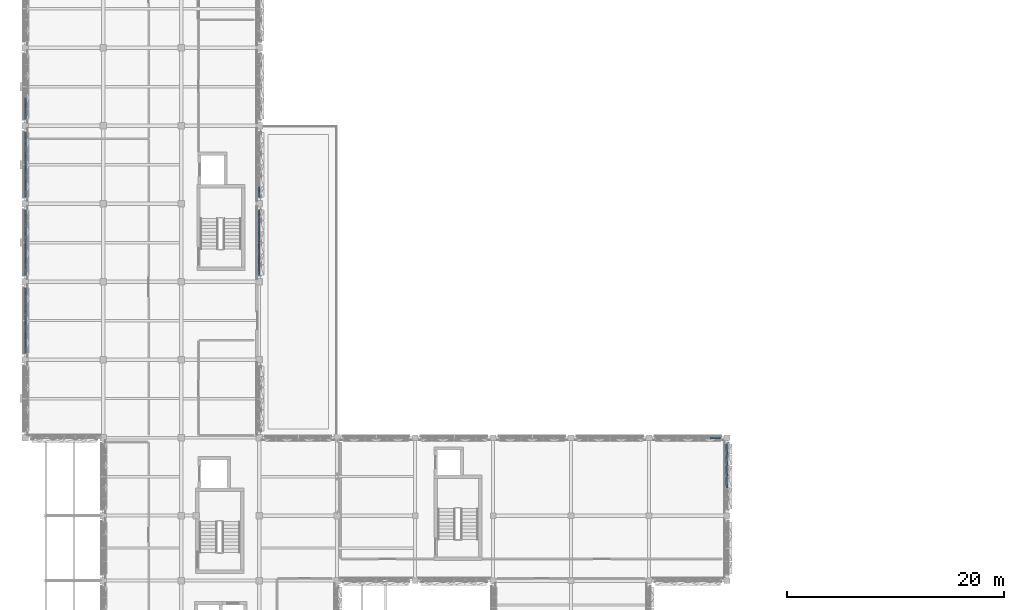
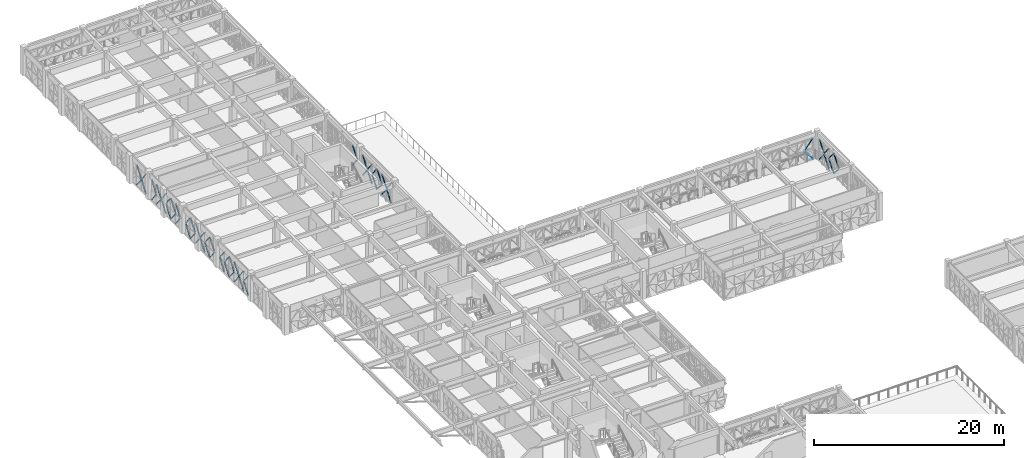
# One storey, part 63 of 99: 64 discrete accessories.
"""IFC4 building model written with IfcOpenShell, lengths in metres."""

from ifc_helpers import new_model, si_unit, direction, frame, origin, origin_2d, place, context, subcontext, project, spatial, rectangle, extrude, material, type_object, element, save


model = new_model("IFC4")

# Units and contexts
model_context = context("Model", 3, precision=1e-05, world=origin(), true_north=direction((0.0, 1.0)))
body_context = subcontext(model_context, "Body", "Model", "MODEL_VIEW")
ifc_project = project(units=[si_unit("LENGTHUNIT", "METRE"), si_unit("AREAUNIT", "SQUARE_METRE"), si_unit("VOLUMEUNIT", "CUBIC_METRE"), si_unit("PLANEANGLEUNIT", "RADIAN"), si_unit("MASSUNIT", "GRAM", prefix="KILO")], contexts=[model_context])

# Site, building, storey
site_placement = place(None, origin())
site = spatial("IfcSite", under=ifc_project, at=site_placement, CompositionType="ELEMENT")
building_placement = place(site_placement, origin())
building = spatial("IfcBuilding", under=site, at=building_placement, Name="Alvorim Cloister Faculty of Sciences", CompositionType="ELEMENT")
storey_placement = place(building_placement, frame((0.0, 0.0, 12.14990234375)))
storey = spatial("IfcBuildingStorey", under=building, at=storey_placement, Name="L03", CompositionType="ELEMENT", Elevation=12.14990234375)

# Discrete accessories
ifc_material = material(Name="Aluminium Alloy 6063-T6", Category="aluminium")
discrete_accessory_type = type_object("IfcDiscreteAccessoryType", Name="ACC-DIAG-BAR", PredefinedType="BRACKET", material=ifc_material)
discrete_accessory_1_placement = place(storey_placement, frame((0.0224609375, 64.205078125, 0.14013671875), z_axis=(0.006562264866, 0.604688699088, 0.796434877359), x_axis=(-0.999941118963, 0.010851663811, 0.0)))
element("IfcDiscreteAccessory", 1, at=discrete_accessory_1_placement, inside=storey, type_object=discrete_accessory_type, Name="Diagonal Cassette Glazing Bracket ACC-01109", PredefinedType="BRACKET", context=body_context, shape_type="SweptSolid", body=[
    extrude(rectangle(XDim=0.139892578125, YDim=0.044921875, at=origin_2d()), origin(), (0.0, 0.0, 1.0), 1.525390625),
])
discrete_accessory_2_placement = place(storey_placement, frame((0.0224609375, 64.205078125, 2.710205078125), z_axis=(0.006561428426, 0.604611624251, -0.796493397008), x_axis=(-0.999941118963, 0.010851663811, 0.0)))
element("IfcDiscreteAccessory", 2, at=discrete_accessory_2_placement, inside=storey, type_object=discrete_accessory_type, Name="Diagonal Cassette Glazing Bracket ACC-01110", PredefinedType="BRACKET", context=body_context, shape_type="SweptSolid", body=[
    extrude(rectangle(XDim=0.139892578125, YDim=0.044921875, at=origin_2d()), origin(), (0.0, 0.0, 1.0), 1.525634765625),
])
discrete_accessory_3_placement = place(storey_placement, frame((0.0224609375, 65.1923828125, 0.14013671875), z_axis=(0.00647732753, 0.618031836495, 0.786126385072), x_axis=(-0.999945083323, 0.010479997039, 0.0)))
element("IfcDiscreteAccessory", 3, at=discrete_accessory_3_placement, inside=storey, type_object=discrete_accessory_type, Name="Diagonal Cassette Glazing Bracket ACC-01111", PredefinedType="BRACKET", context=body_context, shape_type="SweptSolid", body=[
    extrude(rectangle(XDim=0.139892578125, YDim=0.044921875, at=origin_2d()), origin(), (0.0, 0.0, 1.0), 1.54541015625),
])
discrete_accessory_4_placement = place(storey_placement, frame((0.0224609375, 65.1923828125, 2.710205078125), z_axis=(0.006476523147, 0.617955086572, -0.786186724404), x_axis=(-0.999945083323, 0.010479997039, 0.0)))
element("IfcDiscreteAccessory", 4, at=discrete_accessory_4_placement, inside=storey, type_object=discrete_accessory_type, Name="Diagonal Cassette Glazing Bracket ACC-01112", PredefinedType="BRACKET", context=body_context, shape_type="SweptSolid", body=[
    extrude(rectangle(XDim=0.139892578125, YDim=0.044921875, at=origin_2d()), origin(), (0.0, 0.0, 1.0), 1.545654296875),
])
discrete_accessory_5_placement = place(storey_placement, frame((0.0224609375, 66.21240234375, 1.35498046875), z_axis=(0.00647732753, 0.618031836495, -0.786126385072), x_axis=(-0.999945083323, 0.010479997039, 0.0)))
element("IfcDiscreteAccessory", 5, at=discrete_accessory_5_placement, inside=storey, type_object=discrete_accessory_type, Name="Diagonal Cassette Glazing Bracket ACC-01113", PredefinedType="BRACKET", context=body_context, shape_type="SweptSolid", body=[
    extrude(rectangle(XDim=0.139892578125, YDim=0.044921875, at=origin_2d()), origin(), (0.0, 0.0, 1.0), 1.54541015625),
])
discrete_accessory_6_placement = place(storey_placement, frame((0.0224609375, 66.21240234375, 1.4951171875), z_axis=(0.006476523147, 0.617955086572, 0.786186724404), x_axis=(-0.999945083323, 0.010479997039, 0.0)))
element("IfcDiscreteAccessory", 6, at=discrete_accessory_6_placement, inside=storey, type_object=discrete_accessory_type, Name="Diagonal Cassette Glazing Bracket ACC-01114", PredefinedType="BRACKET", context=body_context, shape_type="SweptSolid", body=[
    extrude(rectangle(XDim=0.139892578125, YDim=0.044921875, at=origin_2d()), origin(), (0.0, 0.0, 1.0), 1.545654296875),
])
discrete_accessory_7_placement = place(storey_placement, frame((0.0224609375, 67.232421875, 1.35498046875), z_axis=(0.00647732753, 0.618031836495, -0.786126385072), x_axis=(-0.999945083323, 0.010479997039, 0.0)))
element("IfcDiscreteAccessory", 7, at=discrete_accessory_7_placement, inside=storey, type_object=discrete_accessory_type, Name="Diagonal Cassette Glazing Bracket ACC-01115", PredefinedType="BRACKET", context=body_context, shape_type="SweptSolid", body=[
    extrude(rectangle(XDim=0.139892578125, YDim=0.044921875, at=origin_2d()), origin(), (0.0, 0.0, 1.0), 1.54541015625),
])
discrete_accessory_8_placement = place(storey_placement, frame((0.0224609375, 67.232421875, 1.4951171875), z_axis=(0.006476523147, 0.617955086572, 0.786186724404), x_axis=(-0.999945083323, 0.010479997039, 0.0)))
element("IfcDiscreteAccessory", 8, at=discrete_accessory_8_placement, inside=storey, type_object=discrete_accessory_type, Name="Diagonal Cassette Glazing Bracket ACC-01116", PredefinedType="BRACKET", context=body_context, shape_type="SweptSolid", body=[
    extrude(rectangle(XDim=0.139892578125, YDim=0.044921875, at=origin_2d()), origin(), (0.0, 0.0, 1.0), 1.545654296875),
])
discrete_accessory_9_placement = place(storey_placement, frame((0.0224609375, 68.25244140625, 0.14013671875), z_axis=(0.00647732753, 0.618031836495, 0.786126385072), x_axis=(-0.999945083323, 0.010479997039, 0.0)))
element("IfcDiscreteAccessory", 9, at=discrete_accessory_9_placement, inside=storey, type_object=discrete_accessory_type, Name="Diagonal Cassette Glazing Bracket ACC-01117", PredefinedType="BRACKET", context=body_context, shape_type="SweptSolid", body=[
    extrude(rectangle(XDim=0.139892578125, YDim=0.044921875, at=origin_2d()), origin(), (0.0, 0.0, 1.0), 1.54541015625),
])
discrete_accessory_10_placement = place(storey_placement, frame((0.0224609375, 68.25244140625, 2.710205078125), z_axis=(0.006476523147, 0.617955086572, -0.786186724404), x_axis=(-0.999945083323, 0.010479997039, 0.0)))
element("IfcDiscreteAccessory", 10, at=discrete_accessory_10_placement, inside=storey, type_object=discrete_accessory_type, Name="Diagonal Cassette Glazing Bracket ACC-01118", PredefinedType="BRACKET", context=body_context, shape_type="SweptSolid", body=[
    extrude(rectangle(XDim=0.139892578125, YDim=0.044921875, at=origin_2d()), origin(), (0.0, 0.0, 1.0), 1.545654296875),
])
discrete_accessory_11_placement = place(storey_placement, frame((0.0224609375, 69.2724609375, 0.14013671875), z_axis=(0.006561629754, 0.604790215644, 0.796357796519), x_axis=(-0.999941150118, 0.010848792579, 0.0)))
element("IfcDiscreteAccessory", 11, at=discrete_accessory_11_placement, inside=storey, type_object=discrete_accessory_type, Name="Diagonal Cassette Glazing Bracket ACC-01119", PredefinedType="BRACKET", context=body_context, shape_type="SweptSolid", body=[
    extrude(rectangle(XDim=0.139892578125, YDim=0.044921875, at=origin_2d()), origin(), (0.0, 0.0, 1.0), 1.525390625),
])
discrete_accessory_12_placement = place(storey_placement, frame((0.0224609375, 69.2724609375, 2.710205078125), z_axis=(0.006560793558, 0.604713142785, -0.796416330151), x_axis=(-0.999941150118, 0.010848792579, 0.0)))
element("IfcDiscreteAccessory", 12, at=discrete_accessory_12_placement, inside=storey, type_object=discrete_accessory_type, Name="Diagonal Cassette Glazing Bracket ACC-01120", PredefinedType="BRACKET", context=body_context, shape_type="SweptSolid", body=[
    extrude(rectangle(XDim=0.139892578125, YDim=0.044921875, at=origin_2d()), origin(), (0.0, 0.0, 1.0), 1.525634765625),
])
discrete_accessory_13_placement = place(storey_placement, frame((0.0224609375, 71.405029296875, 1.35498046875), z_axis=(0.006562264866, 0.604688699088, -0.796434877359), x_axis=(-0.999941118963, 0.010851663811, 0.0)))
element("IfcDiscreteAccessory", 13, at=discrete_accessory_13_placement, inside=storey, type_object=discrete_accessory_type, Name="Diagonal Cassette Glazing Bracket ACC-01122", PredefinedType="BRACKET", context=body_context, shape_type="SweptSolid", body=[
    extrude(rectangle(XDim=0.139892578125, YDim=0.044921875, at=origin_2d()), origin(), (0.0, 0.0, 1.0), 1.525390625),
])
discrete_accessory_14_placement = place(storey_placement, frame((0.0224609375, 71.405029296875, 1.4951171875), z_axis=(0.006561428426, 0.604611624251, 0.796493397008), x_axis=(-0.999941118963, 0.010851663811, 0.0)))
element("IfcDiscreteAccessory", 14, at=discrete_accessory_14_placement, inside=storey, type_object=discrete_accessory_type, Name="Diagonal Cassette Glazing Bracket ACC-01123", PredefinedType="BRACKET", context=body_context, shape_type="SweptSolid", body=[
    extrude(rectangle(XDim=0.139892578125, YDim=0.044921875, at=origin_2d()), origin(), (0.0, 0.0, 1.0), 1.525634765625),
])
discrete_accessory_15_placement = place(storey_placement, frame((0.0224609375, 72.392578125, 0.14013671875), z_axis=(0.006477959981, 0.61793418254, 0.786203143012), x_axis=(-0.999945055239, 0.010482676365, 0.0)))
element("IfcDiscreteAccessory", 15, at=discrete_accessory_15_placement, inside=storey, type_object=discrete_accessory_type, Name="Diagonal Cassette Glazing Bracket ACC-01124", PredefinedType="BRACKET", context=body_context, shape_type="SweptSolid", body=[
    extrude(rectangle(XDim=0.139892578125, YDim=0.044921875, at=origin_2d()), origin(), (0.0, 0.0, 1.0), 1.545166015625),
])
discrete_accessory_16_placement = place(storey_placement, frame((0.0224609375, 72.392578125, 2.710205078125), z_axis=(0.006477155362, 0.61785742976, -0.786263469168), x_axis=(-0.999945055239, 0.010482676365, 0.0)))
element("IfcDiscreteAccessory", 16, at=discrete_accessory_16_placement, inside=storey, type_object=discrete_accessory_type, Name="Diagonal Cassette Glazing Bracket ACC-01125", PredefinedType="BRACKET", context=body_context, shape_type="SweptSolid", body=[
    extrude(rectangle(XDim=0.139892578125, YDim=0.044921875, at=origin_2d()), origin(), (0.0, 0.0, 1.0), 1.54541015625),
])
discrete_accessory_17_placement = place(storey_placement, frame((0.0224609375, 73.41259765625, 0.14013671875), z_axis=(0.006477959981, 0.61793418254, 0.786203143012), x_axis=(-0.999945055239, 0.010482676365, 0.0)))
element("IfcDiscreteAccessory", 17, at=discrete_accessory_17_placement, inside=storey, type_object=discrete_accessory_type, Name="Diagonal Cassette Glazing Bracket ACC-01126", PredefinedType="BRACKET", context=body_context, shape_type="SweptSolid", body=[
    extrude(rectangle(XDim=0.139892578125, YDim=0.044921875, at=origin_2d()), origin(), (0.0, 0.0, 1.0), 1.545166015625),
])
discrete_accessory_18_placement = place(storey_placement, frame((0.0224609375, 73.41259765625, 2.710205078125), z_axis=(0.006477155362, 0.61785742976, -0.786263469168), x_axis=(-0.999945055239, 0.010482676365, 0.0)))
element("IfcDiscreteAccessory", 18, at=discrete_accessory_18_placement, inside=storey, type_object=discrete_accessory_type, Name="Diagonal Cassette Glazing Bracket ACC-01127", PredefinedType="BRACKET", context=body_context, shape_type="SweptSolid", body=[
    extrude(rectangle(XDim=0.139892578125, YDim=0.044921875, at=origin_2d()), origin(), (0.0, 0.0, 1.0), 1.54541015625),
])
discrete_accessory_19_placement = place(storey_placement, frame((0.0224609375, 74.4326171875, 1.35498046875), z_axis=(0.006477959981, 0.61793418254, -0.786203143012), x_axis=(-0.999945055239, 0.010482676365, 0.0)))
element("IfcDiscreteAccessory", 19, at=discrete_accessory_19_placement, inside=storey, type_object=discrete_accessory_type, Name="Diagonal Cassette Glazing Bracket ACC-01128", PredefinedType="BRACKET", context=body_context, shape_type="SweptSolid", body=[
    extrude(rectangle(XDim=0.139892578125, YDim=0.044921875, at=origin_2d()), origin(), (0.0, 0.0, 1.0), 1.545166015625),
])
for number, where, z_axis, x_axis, name in (
    (20, (0.0224609375, 74.4326171875, 1.4951171875), (0.006477155362, 0.61785742976, 0.786263469168), (-0.999945055239, 0.010482676365, 0.0), "Diagonal Cassette Glazing Bracket ACC-01129"),
    (21, (0.0224609375, 75.452392578125, 1.35498046875), (0.00647732753, 0.618031836495, -0.786126385072), (-0.999945083323, 0.010479997039, 0.0), "Diagonal Cassette Glazing Bracket ACC-01130"),
):
    element("IfcDiscreteAccessory", number, at=place(storey_placement, frame(where, z_axis=z_axis, x_axis=x_axis)), inside=storey, type_object=discrete_accessory_type, Name=name, PredefinedType="BRACKET", context=body_context, shape_type="SweptSolid", body=[
        extrude(rectangle(XDim=0.139892578125, YDim=0.044921875, at=origin_2d()), origin(), (0.0, 0.0, 1.0), 1.54541015625),
    ])
discrete_accessory_20_placement = place(storey_placement, frame((0.0224609375, 75.452392578125, 1.4951171875), z_axis=(0.006476523147, 0.617955086572, 0.786186724404), x_axis=(-0.999945083323, 0.010479997039, 0.0)))
element("IfcDiscreteAccessory", 22, at=discrete_accessory_20_placement, inside=storey, type_object=discrete_accessory_type, Name="Diagonal Cassette Glazing Bracket ACC-01131", PredefinedType="BRACKET", context=body_context, shape_type="SweptSolid", body=[
    extrude(rectangle(XDim=0.139892578125, YDim=0.044921875, at=origin_2d()), origin(), (0.0, 0.0, 1.0), 1.545654296875),
])
discrete_accessory_21_placement = place(storey_placement, frame((0.0224609375, 76.472412109375, 0.14013671875), z_axis=(0.006561629754, 0.604790215644, 0.796357796519), x_axis=(-0.999941150118, 0.010848792579, 0.0)))
element("IfcDiscreteAccessory", 23, at=discrete_accessory_21_placement, inside=storey, type_object=discrete_accessory_type, Name="Diagonal Cassette Glazing Bracket ACC-01132", PredefinedType="BRACKET", context=body_context, shape_type="SweptSolid", body=[
    extrude(rectangle(XDim=0.139892578125, YDim=0.044921875, at=origin_2d()), origin(), (0.0, 0.0, 1.0), 1.525390625),
])
discrete_accessory_22_placement = place(storey_placement, frame((0.0224609375, 76.472412109375, 2.710205078125), z_axis=(0.006560793558, 0.604713142785, -0.796416330151), x_axis=(-0.999941150118, 0.010848792579, 0.0)))
element("IfcDiscreteAccessory", 24, at=discrete_accessory_22_placement, inside=storey, type_object=discrete_accessory_type, Name="Diagonal Cassette Glazing Bracket ACC-01133", PredefinedType="BRACKET", context=body_context, shape_type="SweptSolid", body=[
    extrude(rectangle(XDim=0.139892578125, YDim=0.044921875, at=origin_2d()), origin(), (0.0, 0.0, 1.0), 1.525634765625),
])
discrete_accessory_23_placement = place(storey_placement, frame((0.0224609375, 78.60498046875, 1.35498046875), z_axis=(0.006561629754, 0.604790215644, -0.796357796519), x_axis=(-0.999941150118, 0.010848792579, 0.0)))
element("IfcDiscreteAccessory", 25, at=discrete_accessory_23_placement, inside=storey, type_object=discrete_accessory_type, Name="Diagonal Cassette Glazing Bracket ACC-01135", PredefinedType="BRACKET", context=body_context, shape_type="SweptSolid", body=[
    extrude(rectangle(XDim=0.139892578125, YDim=0.044921875, at=origin_2d()), origin(), (0.0, 0.0, 1.0), 1.525390625),
])
discrete_accessory_24_placement = place(storey_placement, frame((0.0224609375, 78.60498046875, 1.4951171875), z_axis=(0.006560793558, 0.604713142785, 0.796416330151), x_axis=(-0.999941150118, 0.010848792579, 0.0)))
element("IfcDiscreteAccessory", 26, at=discrete_accessory_24_placement, inside=storey, type_object=discrete_accessory_type, Name="Diagonal Cassette Glazing Bracket ACC-01136", PredefinedType="BRACKET", context=body_context, shape_type="SweptSolid", body=[
    extrude(rectangle(XDim=0.139892578125, YDim=0.044921875, at=origin_2d()), origin(), (0.0, 0.0, 1.0), 1.525634765625),
])
discrete_accessory_25_placement = place(storey_placement, frame((0.0224609375, 79.592529296875, 1.35498046875), z_axis=(0.00647732753, 0.618031836495, -0.786126385072), x_axis=(-0.999945083323, 0.010479997039, 0.0)))
element("IfcDiscreteAccessory", 27, at=discrete_accessory_25_placement, inside=storey, type_object=discrete_accessory_type, Name="Diagonal Cassette Glazing Bracket ACC-01137", PredefinedType="BRACKET", context=body_context, shape_type="SweptSolid", body=[
    extrude(rectangle(XDim=0.139892578125, YDim=0.044921875, at=origin_2d()), origin(), (0.0, 0.0, 1.0), 1.54541015625),
])
discrete_accessory_26_placement = place(storey_placement, frame((0.0224609375, 79.592529296875, 1.4951171875), z_axis=(0.006476523147, 0.617955086572, 0.786186724404), x_axis=(-0.999945083323, 0.010479997039, 0.0)))
element("IfcDiscreteAccessory", 28, at=discrete_accessory_26_placement, inside=storey, type_object=discrete_accessory_type, Name="Diagonal Cassette Glazing Bracket ACC-01138", PredefinedType="BRACKET", context=body_context, shape_type="SweptSolid", body=[
    extrude(rectangle(XDim=0.139892578125, YDim=0.044921875, at=origin_2d()), origin(), (0.0, 0.0, 1.0), 1.545654296875),
])
discrete_accessory_27_placement = place(storey_placement, frame((0.0224609375, 80.612548828125, 0.14013671875), z_axis=(0.006477959981, 0.61793418254, 0.786203143012), x_axis=(-0.999945055239, 0.010482676365, 0.0)))
element("IfcDiscreteAccessory", 29, at=discrete_accessory_27_placement, inside=storey, type_object=discrete_accessory_type, Name="Diagonal Cassette Glazing Bracket ACC-01139", PredefinedType="BRACKET", context=body_context, shape_type="SweptSolid", body=[
    extrude(rectangle(XDim=0.139892578125, YDim=0.044921875, at=origin_2d()), origin(), (0.0, 0.0, 1.0), 1.545166015625),
])
discrete_accessory_28_placement = place(storey_placement, frame((0.0224609375, 80.612548828125, 2.710205078125), z_axis=(0.006477155362, 0.61785742976, -0.786263469168), x_axis=(-0.999945055239, 0.010482676365, 0.0)))
element("IfcDiscreteAccessory", 30, at=discrete_accessory_28_placement, inside=storey, type_object=discrete_accessory_type, Name="Diagonal Cassette Glazing Bracket ACC-01140", PredefinedType="BRACKET", context=body_context, shape_type="SweptSolid", body=[
    extrude(rectangle(XDim=0.139892578125, YDim=0.044921875, at=origin_2d()), origin(), (0.0, 0.0, 1.0), 1.54541015625),
])
discrete_accessory_29_placement = place(storey_placement, frame((0.0224609375, 81.632568359375, 0.14013671875), z_axis=(0.006477959981, 0.61793418254, 0.786203143012), x_axis=(-0.999945055239, 0.010482676365, 0.0)))
element("IfcDiscreteAccessory", 31, at=discrete_accessory_29_placement, inside=storey, type_object=discrete_accessory_type, Name="Diagonal Cassette Glazing Bracket ACC-01141", PredefinedType="BRACKET", context=body_context, shape_type="SweptSolid", body=[
    extrude(rectangle(XDim=0.139892578125, YDim=0.044921875, at=origin_2d()), origin(), (0.0, 0.0, 1.0), 1.545166015625),
])
discrete_accessory_30_placement = place(storey_placement, frame((0.0224609375, 81.632568359375, 2.710205078125), z_axis=(0.006477155362, 0.61785742976, -0.786263469168), x_axis=(-0.999945055239, 0.010482676365, 0.0)))
element("IfcDiscreteAccessory", 32, at=discrete_accessory_30_placement, inside=storey, type_object=discrete_accessory_type, Name="Diagonal Cassette Glazing Bracket ACC-01142", PredefinedType="BRACKET", context=body_context, shape_type="SweptSolid", body=[
    extrude(rectangle(XDim=0.139892578125, YDim=0.044921875, at=origin_2d()), origin(), (0.0, 0.0, 1.0), 1.54541015625),
])
discrete_accessory_31_placement = place(storey_placement, frame((0.0224609375, 82.652587890625, 1.35498046875), z_axis=(0.006477959981, 0.61793418254, -0.786203143012), x_axis=(-0.999945055239, 0.010482676365, 0.0)))
element("IfcDiscreteAccessory", 33, at=discrete_accessory_31_placement, inside=storey, type_object=discrete_accessory_type, Name="Diagonal Cassette Glazing Bracket ACC-01143", PredefinedType="BRACKET", context=body_context, shape_type="SweptSolid", body=[
    extrude(rectangle(XDim=0.139892578125, YDim=0.044921875, at=origin_2d()), origin(), (0.0, 0.0, 1.0), 1.545166015625),
])
discrete_accessory_32_placement = place(storey_placement, frame((0.0224609375, 82.652587890625, 1.4951171875), z_axis=(0.006477155362, 0.61785742976, 0.786263469168), x_axis=(-0.999945055239, 0.010482676365, 0.0)))
element("IfcDiscreteAccessory", 34, at=discrete_accessory_32_placement, inside=storey, type_object=discrete_accessory_type, Name="Diagonal Cassette Glazing Bracket ACC-01144", PredefinedType="BRACKET", context=body_context, shape_type="SweptSolid", body=[
    extrude(rectangle(XDim=0.139892578125, YDim=0.044921875, at=origin_2d()), origin(), (0.0, 0.0, 1.0), 1.54541015625),
])
discrete_accessory_33_placement = place(storey_placement, frame((0.0224609375, 83.672607421875, 1.35498046875), z_axis=(0.006562264866, 0.604688699088, -0.796434877359), x_axis=(-0.999941118963, 0.010851663811, 0.0)))
element("IfcDiscreteAccessory", 35, at=discrete_accessory_33_placement, inside=storey, type_object=discrete_accessory_type, Name="Diagonal Cassette Glazing Bracket ACC-01145", PredefinedType="BRACKET", context=body_context, shape_type="SweptSolid", body=[
    extrude(rectangle(XDim=0.139892578125, YDim=0.044921875, at=origin_2d()), origin(), (0.0, 0.0, 1.0), 1.525390625),
])
discrete_accessory_34_placement = place(storey_placement, frame((0.0224609375, 83.672607421875, 1.4951171875), z_axis=(0.006561428426, 0.604611624251, 0.796493397008), x_axis=(-0.999941118963, 0.010851663811, 0.0)))
element("IfcDiscreteAccessory", 36, at=discrete_accessory_34_placement, inside=storey, type_object=discrete_accessory_type, Name="Diagonal Cassette Glazing Bracket ACC-01146", PredefinedType="BRACKET", context=body_context, shape_type="SweptSolid", body=[
    extrude(rectangle(XDim=0.139892578125, YDim=0.044921875, at=origin_2d()), origin(), (0.0, 0.0, 1.0), 1.525634765625),
])
discrete_accessory_35_placement = place(storey_placement, frame((0.0224609375, 85.804931640625, 0.14013671875), z_axis=(0.006561629754, 0.604790215644, 0.796357796519), x_axis=(-0.999941150118, 0.010848792579, 0.0)))
element("IfcDiscreteAccessory", 37, at=discrete_accessory_35_placement, inside=storey, type_object=discrete_accessory_type, Name="Diagonal Cassette Glazing Bracket ACC-01148", PredefinedType="BRACKET", context=body_context, shape_type="SweptSolid", body=[
    extrude(rectangle(XDim=0.139892578125, YDim=0.044921875, at=origin_2d()), origin(), (0.0, 0.0, 1.0), 1.525390625),
])
discrete_accessory_36_placement = place(storey_placement, frame((0.0224609375, 85.804931640625, 2.710205078125), z_axis=(0.006560793558, 0.604713142785, -0.796416330151), x_axis=(-0.999941150118, 0.010848792579, 0.0)))
element("IfcDiscreteAccessory", 38, at=discrete_accessory_36_placement, inside=storey, type_object=discrete_accessory_type, Name="Diagonal Cassette Glazing Bracket ACC-01149", PredefinedType="BRACKET", context=body_context, shape_type="SweptSolid", body=[
    extrude(rectangle(XDim=0.139892578125, YDim=0.044921875, at=origin_2d()), origin(), (0.0, 0.0, 1.0), 1.525634765625),
])
discrete_accessory_37_placement = place(storey_placement, frame((0.0224609375, 86.79248046875, 1.35498046875), z_axis=(0.00647732753, 0.618031836495, -0.786126385072), x_axis=(-0.999945083323, 0.010479997039, 0.0)))
element("IfcDiscreteAccessory", 39, at=discrete_accessory_37_placement, inside=storey, type_object=discrete_accessory_type, Name="Diagonal Cassette Glazing Bracket ACC-01150", PredefinedType="BRACKET", context=body_context, shape_type="SweptSolid", body=[
    extrude(rectangle(XDim=0.139892578125, YDim=0.044921875, at=origin_2d()), origin(), (0.0, 0.0, 1.0), 1.54541015625),
])
discrete_accessory_38_placement = place(storey_placement, frame((0.0224609375, 86.79248046875, 1.4951171875), z_axis=(0.006476523147, 0.617955086572, 0.786186724404), x_axis=(-0.999945083323, 0.010479997039, 0.0)))
element("IfcDiscreteAccessory", 40, at=discrete_accessory_38_placement, inside=storey, type_object=discrete_accessory_type, Name="Diagonal Cassette Glazing Bracket ACC-01151", PredefinedType="BRACKET", context=body_context, shape_type="SweptSolid", body=[
    extrude(rectangle(XDim=0.139892578125, YDim=0.044921875, at=origin_2d()), origin(), (0.0, 0.0, 1.0), 1.545654296875),
])
discrete_accessory_39_placement = place(storey_placement, frame((21.577392578125, 78.60498046875, 1.35498046875), z_axis=(-0.006561629754, 0.604790215644, -0.796357796519), x_axis=(-0.999941150118, -0.010848792579, 0.0)))
element("IfcDiscreteAccessory", 41, at=discrete_accessory_39_placement, inside=storey, type_object=discrete_accessory_type, Name="Diagonal Cassette Glazing Bracket ACC-01279", PredefinedType="BRACKET", context=body_context, shape_type="SweptSolid", body=[
    extrude(rectangle(XDim=0.139892578125, YDim=0.044921875, at=origin_2d()), origin(), (0.0, 0.0, 1.0), 1.525390625),
])
discrete_accessory_40_placement = place(storey_placement, frame((21.577392578125, 78.60498046875, 1.4951171875), z_axis=(-0.006560793558, 0.604713142785, 0.796416330151), x_axis=(-0.999941150118, -0.010848792579, 0.0)))
element("IfcDiscreteAccessory", 42, at=discrete_accessory_40_placement, inside=storey, type_object=discrete_accessory_type, Name="Diagonal Cassette Glazing Bracket ACC-01280", PredefinedType="BRACKET", context=body_context, shape_type="SweptSolid", body=[
    extrude(rectangle(XDim=0.139892578125, YDim=0.044921875, at=origin_2d()), origin(), (0.0, 0.0, 1.0), 1.525634765625),
])
discrete_accessory_41_placement = place(storey_placement, frame((21.577392578125, 71.405029296875, 0.14013671875), z_axis=(-0.006562264866, 0.604688699088, 0.796434877359), x_axis=(-0.999941118963, -0.010851663811, 0.0)))
element("IfcDiscreteAccessory", 43, at=discrete_accessory_41_placement, inside=storey, type_object=discrete_accessory_type, Name="Diagonal Cassette Glazing Bracket ACC-01292", PredefinedType="BRACKET", context=body_context, shape_type="SweptSolid", body=[
    extrude(rectangle(XDim=0.139892578125, YDim=0.044921875, at=origin_2d()), origin(), (0.0, 0.0, 1.0), 1.525390625),
])
discrete_accessory_42_placement = place(storey_placement, frame((21.577392578125, 71.405029296875, 2.710205078125), z_axis=(-0.006561428426, 0.604611624251, -0.796493397008), x_axis=(-0.999941118963, -0.010851663811, 0.0)))
element("IfcDiscreteAccessory", 44, at=discrete_accessory_42_placement, inside=storey, type_object=discrete_accessory_type, Name="Diagonal Cassette Glazing Bracket ACC-01293", PredefinedType="BRACKET", context=body_context, shape_type="SweptSolid", body=[
    extrude(rectangle(XDim=0.139892578125, YDim=0.044921875, at=origin_2d()), origin(), (0.0, 0.0, 1.0), 1.525634765625),
])
discrete_accessory_43_placement = place(storey_placement, frame((21.577392578125, 72.392578125, 1.35498046875), z_axis=(-0.006477959981, 0.61793418254, -0.786203143012), x_axis=(-0.999945055239, -0.010482676365, 0.0)))
element("IfcDiscreteAccessory", 45, at=discrete_accessory_43_placement, inside=storey, type_object=discrete_accessory_type, Name="Diagonal Cassette Glazing Bracket ACC-01294", PredefinedType="BRACKET", context=body_context, shape_type="SweptSolid", body=[
    extrude(rectangle(XDim=0.139892578125, YDim=0.044921875, at=origin_2d()), origin(), (0.0, 0.0, 1.0), 1.545166015625),
])
discrete_accessory_44_placement = place(storey_placement, frame((21.577392578125, 72.392578125, 1.4951171875), z_axis=(-0.006477155362, 0.61785742976, 0.786263469168), x_axis=(-0.999945055239, -0.010482676365, 0.0)))
element("IfcDiscreteAccessory", 46, at=discrete_accessory_44_placement, inside=storey, type_object=discrete_accessory_type, Name="Diagonal Cassette Glazing Bracket ACC-01295", PredefinedType="BRACKET", context=body_context, shape_type="SweptSolid", body=[
    extrude(rectangle(XDim=0.139892578125, YDim=0.044921875, at=origin_2d()), origin(), (0.0, 0.0, 1.0), 1.54541015625),
])
discrete_accessory_45_placement = place(storey_placement, frame((21.577392578125, 73.41259765625, 1.35498046875), z_axis=(-0.006477959981, 0.61793418254, -0.786203143012), x_axis=(-0.999945055239, -0.010482676365, 0.0)))
element("IfcDiscreteAccessory", 47, at=discrete_accessory_45_placement, inside=storey, type_object=discrete_accessory_type, Name="Diagonal Cassette Glazing Bracket ACC-01296", PredefinedType="BRACKET", context=body_context, shape_type="SweptSolid", body=[
    extrude(rectangle(XDim=0.139892578125, YDim=0.044921875, at=origin_2d()), origin(), (0.0, 0.0, 1.0), 1.545166015625),
])
discrete_accessory_46_placement = place(storey_placement, frame((21.577392578125, 73.41259765625, 1.4951171875), z_axis=(-0.006477155362, 0.61785742976, 0.786263469168), x_axis=(-0.999945055239, -0.010482676365, 0.0)))
element("IfcDiscreteAccessory", 48, at=discrete_accessory_46_placement, inside=storey, type_object=discrete_accessory_type, Name="Diagonal Cassette Glazing Bracket ACC-01297", PredefinedType="BRACKET", context=body_context, shape_type="SweptSolid", body=[
    extrude(rectangle(XDim=0.139892578125, YDim=0.044921875, at=origin_2d()), origin(), (0.0, 0.0, 1.0), 1.54541015625),
])
discrete_accessory_47_placement = place(storey_placement, frame((21.577392578125, 74.4326171875, 0.14013671875), z_axis=(-0.006477959981, 0.61793418254, 0.786203143012), x_axis=(-0.999945055239, -0.010482676365, 0.0)))
element("IfcDiscreteAccessory", 49, at=discrete_accessory_47_placement, inside=storey, type_object=discrete_accessory_type, Name="Diagonal Cassette Glazing Bracket ACC-01298", PredefinedType="BRACKET", context=body_context, shape_type="SweptSolid", body=[
    extrude(rectangle(XDim=0.139892578125, YDim=0.044921875, at=origin_2d()), origin(), (0.0, 0.0, 1.0), 1.545166015625),
])
for number, where, z_axis, x_axis, name in (
    (50, (21.577392578125, 74.4326171875, 2.710205078125), (-0.006477155362, 0.61785742976, -0.786263469168), (-0.999945055239, -0.010482676365, 0.0), "Diagonal Cassette Glazing Bracket ACC-01299"),
    (51, (21.577392578125, 75.452392578125, 0.14013671875), (-0.00647732753, 0.618031836495, 0.786126385072), (-0.999945083323, -0.010479997039, 0.0), "Diagonal Cassette Glazing Bracket ACC-01300"),
):
    element("IfcDiscreteAccessory", number, at=place(storey_placement, frame(where, z_axis=z_axis, x_axis=x_axis)), inside=storey, type_object=discrete_accessory_type, Name=name, PredefinedType="BRACKET", context=body_context, shape_type="SweptSolid", body=[
        extrude(rectangle(XDim=0.139892578125, YDim=0.044921875, at=origin_2d()), origin(), (0.0, 0.0, 1.0), 1.54541015625),
    ])
discrete_accessory_48_placement = place(storey_placement, frame((21.577392578125, 75.452392578125, 2.710205078125), z_axis=(-0.006476523147, 0.617955086572, -0.786186724404), x_axis=(-0.999945083323, -0.010479997039, 0.0)))
element("IfcDiscreteAccessory", 52, at=discrete_accessory_48_placement, inside=storey, type_object=discrete_accessory_type, Name="Diagonal Cassette Glazing Bracket ACC-01301", PredefinedType="BRACKET", context=body_context, shape_type="SweptSolid", body=[
    extrude(rectangle(XDim=0.139892578125, YDim=0.044921875, at=origin_2d()), origin(), (0.0, 0.0, 1.0), 1.545654296875),
])
discrete_accessory_49_placement = place(storey_placement, frame((21.577392578125, 76.472412109375, 1.35498046875), z_axis=(-0.006561629754, 0.604790215644, -0.796357796519), x_axis=(-0.999941150118, -0.010848792579, 0.0)))
element("IfcDiscreteAccessory", 53, at=discrete_accessory_49_placement, inside=storey, type_object=discrete_accessory_type, Name="Diagonal Cassette Glazing Bracket ACC-01302", PredefinedType="BRACKET", context=body_context, shape_type="SweptSolid", body=[
    extrude(rectangle(XDim=0.139892578125, YDim=0.044921875, at=origin_2d()), origin(), (0.0, 0.0, 1.0), 1.525390625),
])
discrete_accessory_50_placement = place(storey_placement, frame((21.577392578125, 76.472412109375, 1.4951171875), z_axis=(-0.006560793558, 0.604713142785, 0.796416330151), x_axis=(-0.999941150118, -0.010848792579, 0.0)))
element("IfcDiscreteAccessory", 54, at=discrete_accessory_50_placement, inside=storey, type_object=discrete_accessory_type, Name="Diagonal Cassette Glazing Bracket ACC-01303", PredefinedType="BRACKET", context=body_context, shape_type="SweptSolid", body=[
    extrude(rectangle(XDim=0.139892578125, YDim=0.044921875, at=origin_2d()), origin(), (0.0, 0.0, 1.0), 1.525634765625),
])
discrete_accessory_51_placement = place(storey_placement, frame((63.2724609375, 56.37744140625, 1.35498046875), z_axis=(0.604790215644, -0.006561629754, -0.796357796519), x_axis=(0.010848792579, 0.999941150118, 0.0)))
element("IfcDiscreteAccessory", 55, at=discrete_accessory_51_placement, inside=storey, type_object=discrete_accessory_type, Name="Diagonal Cassette Glazing Bracket ACC-01393", PredefinedType="BRACKET", context=body_context, shape_type="SweptSolid", body=[
    extrude(rectangle(XDim=0.139892578125, YDim=0.044921875, at=origin_2d()), origin(), (0.0, 0.0, 1.0), 1.525390625),
])
discrete_accessory_52_placement = place(storey_placement, frame((63.2724609375, 56.37744140625, 1.4951171875), z_axis=(0.604713142785, -0.006560793558, 0.796416330151), x_axis=(0.010848792579, 0.999941150118, 0.0)))
element("IfcDiscreteAccessory", 56, at=discrete_accessory_52_placement, inside=storey, type_object=discrete_accessory_type, Name="Diagonal Cassette Glazing Bracket ACC-01394", PredefinedType="BRACKET", context=body_context, shape_type="SweptSolid", body=[
    extrude(rectangle(XDim=0.139892578125, YDim=0.044921875, at=origin_2d()), origin(), (0.0, 0.0, 1.0), 1.525634765625),
])
discrete_accessory_53_placement = place(storey_placement, frame((64.777587890625, 51.8125, 1.35498046875), z_axis=(-0.00647732753, 0.618031836495, -0.786126385072), x_axis=(-0.999945083323, -0.010479997039, 0.0)))
element("IfcDiscreteAccessory", 57, at=discrete_accessory_53_placement, inside=storey, type_object=discrete_accessory_type, Name="Diagonal Cassette Glazing Bracket ACC-01400", PredefinedType="BRACKET", context=body_context, shape_type="SweptSolid", body=[
    extrude(rectangle(XDim=0.139892578125, YDim=0.044921875, at=origin_2d()), origin(), (0.0, 0.0, 1.0), 1.54541015625),
])
discrete_accessory_54_placement = place(storey_placement, frame((64.777587890625, 51.8125, 1.4951171875), z_axis=(-0.006476523147, 0.617955086572, 0.786186724404), x_axis=(-0.999945083323, -0.010479997039, 0.0)))
element("IfcDiscreteAccessory", 58, at=discrete_accessory_54_placement, inside=storey, type_object=discrete_accessory_type, Name="Diagonal Cassette Glazing Bracket ACC-01401", PredefinedType="BRACKET", context=body_context, shape_type="SweptSolid", body=[
    extrude(rectangle(XDim=0.139892578125, YDim=0.044921875, at=origin_2d()), origin(), (0.0, 0.0, 1.0), 1.545654296875),
])
discrete_accessory_55_placement = place(storey_placement, frame((64.777587890625, 52.83251953125, 0.14013671875), z_axis=(-0.00647732753, 0.618031836495, 0.786126385072), x_axis=(-0.999945083323, -0.010479997039, 0.0)))
element("IfcDiscreteAccessory", 59, at=discrete_accessory_55_placement, inside=storey, type_object=discrete_accessory_type, Name="Diagonal Cassette Glazing Bracket ACC-01402", PredefinedType="BRACKET", context=body_context, shape_type="SweptSolid", body=[
    extrude(rectangle(XDim=0.139892578125, YDim=0.044921875, at=origin_2d()), origin(), (0.0, 0.0, 1.0), 1.54541015625),
])
discrete_accessory_56_placement = place(storey_placement, frame((64.777587890625, 52.83251953125, 2.710205078125), z_axis=(-0.006476523147, 0.617955086572, -0.786186724404), x_axis=(-0.999945083323, -0.010479997039, 0.0)))
element("IfcDiscreteAccessory", 60, at=discrete_accessory_56_placement, inside=storey, type_object=discrete_accessory_type, Name="Diagonal Cassette Glazing Bracket ACC-01403", PredefinedType="BRACKET", context=body_context, shape_type="SweptSolid", body=[
    extrude(rectangle(XDim=0.139892578125, YDim=0.044921875, at=origin_2d()), origin(), (0.0, 0.0, 1.0), 1.545654296875),
])
discrete_accessory_57_placement = place(storey_placement, frame((64.777587890625, 53.8525390625, 0.14013671875), z_axis=(-0.00647732753, 0.618031836495, 0.786126385072), x_axis=(-0.999945083323, -0.010479997039, 0.0)))
element("IfcDiscreteAccessory", 61, at=discrete_accessory_57_placement, inside=storey, type_object=discrete_accessory_type, Name="Diagonal Cassette Glazing Bracket ACC-01404", PredefinedType="BRACKET", context=body_context, shape_type="SweptSolid", body=[
    extrude(rectangle(XDim=0.139892578125, YDim=0.044921875, at=origin_2d()), origin(), (0.0, 0.0, 1.0), 1.54541015625),
])
discrete_accessory_58_placement = place(storey_placement, frame((64.777587890625, 53.8525390625, 2.710205078125), z_axis=(-0.006476523147, 0.617955086572, -0.786186724404), x_axis=(-0.999945083323, -0.010479997039, 0.0)))
element("IfcDiscreteAccessory", 62, at=discrete_accessory_58_placement, inside=storey, type_object=discrete_accessory_type, Name="Diagonal Cassette Glazing Bracket ACC-01405", PredefinedType="BRACKET", context=body_context, shape_type="SweptSolid", body=[
    extrude(rectangle(XDim=0.139892578125, YDim=0.044921875, at=origin_2d()), origin(), (0.0, 0.0, 1.0), 1.545654296875),
])
discrete_accessory_59_placement = place(storey_placement, frame((64.777587890625, 54.87255859375, 1.35498046875), z_axis=(-0.006562264866, 0.604688699088, -0.796434877359), x_axis=(-0.999941118963, -0.010851663811, 0.0)))
element("IfcDiscreteAccessory", 63, at=discrete_accessory_59_placement, inside=storey, type_object=discrete_accessory_type, Name="Diagonal Cassette Glazing Bracket ACC-01406", PredefinedType="BRACKET", context=body_context, shape_type="SweptSolid", body=[
    extrude(rectangle(XDim=0.139892578125, YDim=0.044921875, at=origin_2d()), origin(), (0.0, 0.0, 1.0), 1.525390625),
])
discrete_accessory_60_placement = place(storey_placement, frame((64.777587890625, 54.87255859375, 1.4951171875), z_axis=(-0.006561428426, 0.604611624251, 0.796493397008), x_axis=(-0.999941118963, -0.010851663811, 0.0)))
element("IfcDiscreteAccessory", 64, at=discrete_accessory_60_placement, inside=storey, type_object=discrete_accessory_type, Name="Diagonal Cassette Glazing Bracket ACC-01407", PredefinedType="BRACKET", context=body_context, shape_type="SweptSolid", body=[
    extrude(rectangle(XDim=0.139892578125, YDim=0.044921875, at=origin_2d()), origin(), (0.0, 0.0, 1.0), 1.525634765625),
])

save(model, "model.ifc")
